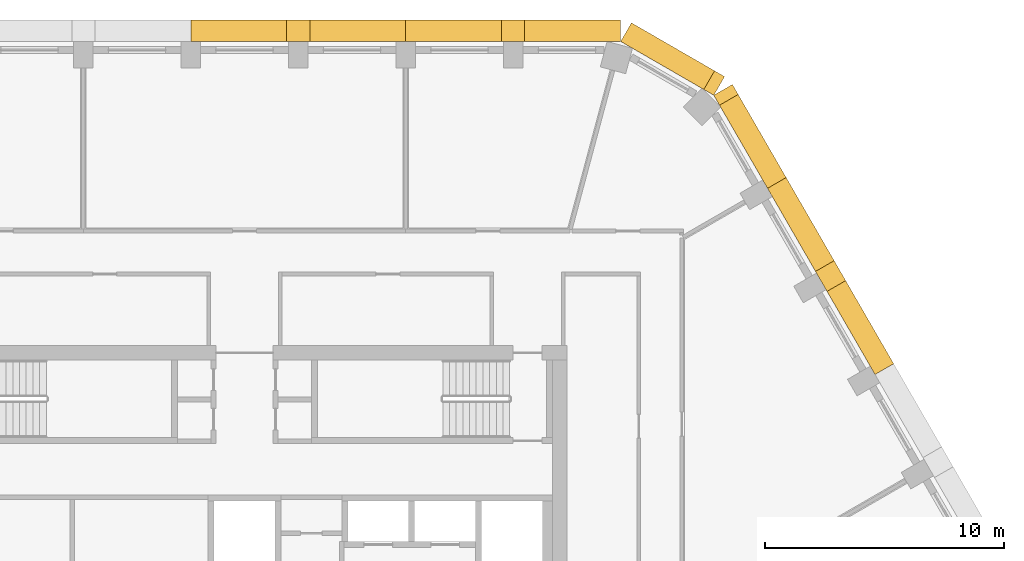
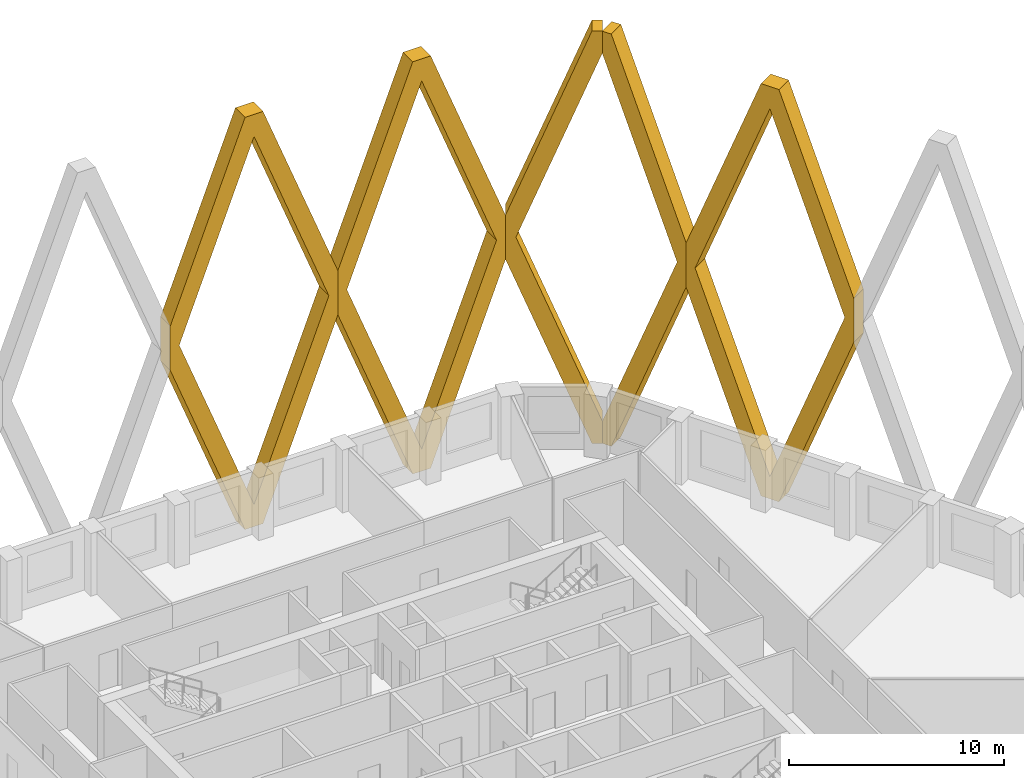
# One storey, part 16 of 16: 5 coverings.
"""IFC4 building model written with IfcOpenShell, lengths in metres."""

import ifcopenshell
import ifcopenshell.guid

model = None  # the IFC model being written
_history = None  # IfcOwnerHistory: only IFC2X3 demands one
_inside = {}  # id of a spatial element -> (the spatial element, [elements in it])
_under = {}  # id of a project, library or spatial element -> (it, [spatial elements below it])
_declared = {}  # id of a project -> (the project, [libraries it declares])
_typed = {}  # id of a type object -> (the type object, [elements of that type])
_made_of = {}  # id of a material, layer set ... -> (it, [elements and type objects made of it])


def new_model(schema):
    """Start an empty IFC model of exactly this schema.

    Asked for "IFC4X3", IfcOpenShell would pick the latest addendum, in which some entities
    have other attributes; the version numbers below select the first issue.
    IFC2X3 requires an IfcOwnerHistory on every rooted entity: one is made here for all.
    """
    global model, _history
    if schema == "IFC4X3":
        model = ifcopenshell.file(schema_version=(4, 3, 0, 0))
    else:
        model = ifcopenshell.file(schema=schema)
    _inside.clear()
    _under.clear()
    _declared.clear()
    _typed.clear()
    _made_of.clear()
    _history = None
    if model.schema == "IFC2X3":
        org = make("IfcOrganization", Name="unknown")
        user = make(
            "IfcPersonAndOrganization",
            ThePerson=make("IfcPerson", FamilyName="unknown"),
            TheOrganization=org,
        )
        app = make(
            "IfcApplication",
            ApplicationDeveloper=org,
            Version="unknown",
            ApplicationFullName="unknown",
            ApplicationIdentifier="unknown",
        )
        _history = make(
            "IfcOwnerHistory",
            OwningUser=user,
            OwningApplication=app,
            ChangeAction="ADDED",
            CreationDate=0,
        )
    return model


def make(cls, **values):
    """One entity of the class cls with the attributes given. An attribute that is None is left unset."""
    return model.create_entity(
        cls, **{name: value for name, value in values.items() if value is not None}
    )


def rooted(cls, **values):
    """An entity with a GlobalId (a new one), such as an element, a storey or a relation."""
    return make(cls, GlobalId=ifcopenshell.guid.new(), OwnerHistory=_history, **values)


def si_unit(unit_type, name, prefix=None):
    """IfcSIUnit, for example si_unit("LENGTHUNIT", "METRE", prefix="MILLI")."""
    return make("IfcSIUnit", UnitType=unit_type, Prefix=prefix, Name=name)


def assignment(units):
    """IfcUnitAssignment: the units of a project."""
    return None if units is None else make("IfcUnitAssignment", Units=units)


def point(xyz):
    """IfcCartesianPoint."""
    return None if xyz is None else make("IfcCartesianPoint", Coordinates=xyz)


def direction(xyz):
    """IfcDirection."""
    return None if xyz is None else make("IfcDirection", DirectionRatios=xyz)


def frame(location, z_axis=None, x_axis=None):
    """IfcAxis2Placement3D, a coordinate frame: its origin and axes. An axis left out is left unset."""
    return make(
        "IfcAxis2Placement3D",
        Location=point(location),
        Axis=direction(z_axis),
        RefDirection=direction(x_axis),
    )


def origin():
    """The frame at (0, 0, 0) with its axes left unset."""
    return frame((0.0, 0.0, 0.0))


def place(relative_to, where):
    """IfcLocalPlacement: puts the frame where relative to a parent placement (None: the world)."""
    return make(
        "IfcLocalPlacement", PlacementRelTo=relative_to, RelativePlacement=where
    )


def context(
    kind, dimensions, precision=None, world=None, true_north=None, identifier=None
):
    """IfcGeometricRepresentationContext, for example the 3D "Model" context."""
    return make(
        "IfcGeometricRepresentationContext",
        ContextIdentifier=identifier,
        ContextType=kind,
        CoordinateSpaceDimension=dimensions,
        Precision=precision,
        WorldCoordinateSystem=world,
        TrueNorth=true_north,
    )


def subcontext(parent, identifier, kind, view, scale=None):
    """IfcGeometricRepresentationSubContext, for example "Body" below "Model"."""
    return make(
        "IfcGeometricRepresentationSubContext",
        ContextIdentifier=identifier,
        ContextType=kind,
        ParentContext=parent,
        TargetScale=scale,
        TargetView=view,
    )


def project(units=None, contexts=None):
    """IfcProject with its units and contexts."""
    return rooted(
        "IfcProject",
        Name="project",
        RepresentationContexts=contexts,
        UnitsInContext=assignment(units),
    )


def spatial(cls, under=None, at=None, **own):
    """A site, building, storey or space (cls), placed at a placement, below another one or the project."""
    s = rooted(cls, ObjectPlacement=at, **own)
    if under is not None:
        _under.setdefault(under.id(), (under, []))[1].append(s)
    return s


def polyline(points):
    """IfcPolyline through the points."""
    return make("IfcPolyline", Points=[point(p) for p in points])


def outline(outer, holes=None, kind="AREA"):
    """IfcArbitraryClosedProfileDef: a profile drawn as a closed curve; with holes, ...WithVoids."""
    if holes is None:
        return make("IfcArbitraryClosedProfileDef", ProfileType=kind, OuterCurve=outer)
    return make(
        "IfcArbitraryProfileDefWithVoids",
        ProfileType=kind,
        OuterCurve=outer,
        InnerCurves=holes,
    )


def extrude(swept, where, along, depth):
    """IfcExtrudedAreaSolid: the profile swept, set in the frame where, extruded along a direction by depth."""
    return make(
        "IfcExtrudedAreaSolid",
        SweptArea=swept,
        Position=where,
        ExtrudedDirection=direction(along),
        Depth=depth,
    )


def shape(context_of_items, identifier, shape_type, items):
    """IfcShapeRepresentation: the items that make up one representation, for example the "Body"."""
    return make(
        "IfcShapeRepresentation",
        ContextOfItems=context_of_items,
        RepresentationIdentifier=identifier,
        RepresentationType=shape_type,
        Items=items,
    )


def material(Name=None, Category=None):
    """IfcMaterial."""
    return make("IfcMaterial", Name=Name, Category=Category)


def made_of(thing, what):
    """Note that an element or type object is made of a material, layer set ...; save() writes the relation."""
    if what is not None:
        _made_of.setdefault(what.id(), (what, []))[1].append(thing)
    return thing


def type_object(cls, material=None, **own):
    """A type object (cls), such as IfcWallType, which elements share."""
    return made_of(rooted(cls, **own), material)


def element(
    cls,
    number,
    at=None,
    inside=None,
    cuts=None,
    type_object=None,
    material=None,
    context=None,
    identifier="Body",
    shape_type=None,
    held_by="IfcProductDefinitionShape",
    body=None,
    shapes=None,
    **own,
):
    """One element of the class cls, such as IfcWall. Its Tag is "e" and its number.

    at: its placement. inside: the storey or other place that contains it. cuts: it is an
    opening in that element (IfcRelVoidsElement). A single representation is given by context,
    identifier, shape_type and body (its items); several are given by shapes. held_by: the class
    of the entity that holds the representations. save() writes the other relations.
    """
    e = rooted(cls, Tag="e%d" % number, ObjectPlacement=at, **own)
    if body is not None:
        shapes = [shape(context, identifier, shape_type, body)]
    if shapes is not None:
        e.Representation = make(held_by, Representations=shapes)
    if inside is not None:
        _inside.setdefault(inside.id(), (inside, []))[1].append(e)
    if cuts is not None:
        rooted(
            "IfcRelVoidsElement", RelatingBuildingElement=cuts, RelatedOpeningElement=e
        )
    if type_object is not None:
        _typed.setdefault(type_object.id(), (type_object, []))[1].append(e)
    return made_of(e, material)


def aggregate(whole, parts):
    """IfcRelAggregates: a whole, such as a stair, and the parts it consists of."""
    return rooted("IfcRelAggregates", RelatingObject=whole, RelatedObjects=parts)


def save(model, path):
    """Write the relations noted so far, then the file.

    IfcRelAggregates (storeys below a building ...), IfcRelContainedInSpatialStructure (elements
    in a storey), IfcRelDefinesByType, IfcRelAssociatesMaterial and IfcRelDeclares: one each for
    every whole, place, type object, material and project.
    """
    for whole, parts in _under.values():
        aggregate(whole, parts)
    for where, things in _inside.values():
        rooted(
            "IfcRelContainedInSpatialStructure",
            RelatedElements=things,
            RelatingStructure=where,
        )
    for kind, things in _typed.values():
        rooted("IfcRelDefinesByType", RelatedObjects=things, RelatingType=kind)
    for what, things in _made_of.values():
        rooted("IfcRelAssociatesMaterial", RelatedObjects=things, RelatingMaterial=what)
    for by, libraries in _declared.values():
        rooted("IfcRelDeclares", RelatingContext=by, RelatedDefinitions=libraries)
    model.write(path)


model = new_model("IFC4")

# Units and contexts
model_context = context("Model", 3, precision=1e-05, world=origin(), true_north=direction((0.0, 1.0)))
body_context = subcontext(model_context, "Body", "Model", "MODEL_VIEW")
ifc_project = project(units=[si_unit("LENGTHUNIT", "METRE"), si_unit("AREAUNIT", "SQUARE_METRE"), si_unit("VOLUMEUNIT", "CUBIC_METRE"), si_unit("PLANEANGLEUNIT", "RADIAN"), si_unit("MASSUNIT", "GRAM", prefix="KILO")], contexts=[model_context])

# Site, building, storey
site_placement = place(None, origin())
site = spatial("IfcSite", under=ifc_project, at=site_placement, CompositionType="ELEMENT")
building_placement = place(site_placement, origin())
building = spatial("IfcBuilding", under=site, at=building_placement, Name="Dhurran Vertical Campus", CompositionType="ELEMENT")
storey_placement = place(building_placement, frame((0.0, 0.0, 183.89990234375)))
storey = spatial("IfcBuildingStorey", under=building, at=storey_placement, Name="L45", CompositionType="ELEMENT", Elevation=183.89990234375)

# Coverings
ifc_material = material(Name="Precast concrete C50/60", Category="concrete")
covering_type = type_object("IfcCoveringType", Name="Folded precast fin lattice diamond", PredefinedType="USERDEFINED", material=ifc_material)
covering_1_placement = place(storey_placement, frame((26.397216796875, 10.044189453125, 0.0), z_axis=(0.866013897511, 0.50001992892, 0.0), x_axis=(-0.50001992892, 0.866013897511, 0.0)))
element("IfcCovering", 1, at=covering_1_placement, inside=storey, type_object=covering_type, Name="FN1 L45.011", ObjectType="FIN", PredefinedType="USERDEFINED", context=body_context, shape_type="SweptSolid", body=[
    extrude(outline(polyline([(9.0, 12.95361328125), (9.0, 10.4462890625), (4.982177734375, 0.0), (4.017822265625, 0.0), (0.0, 10.4462890625), (0.0, 12.95361328125), (4.017822265625, 23.39990234375), (4.982177734375, 23.39990234375), (9.0, 12.95361328125)]), holes=[polyline([(8.517822265625, 11.699951171875), (4.5, 22.146484375), (0.482177734375, 11.699951171875), (4.5, 1.253662109375), (8.517822265625, 11.699951171875)])]), origin(), (0.0, 0.0, 1.0), 0.89990234375),
])
covering_2_placement = place(storey_placement, frame((21.897216796875, 17.83837890625, 0.0), z_axis=(0.865896406789, 0.500223362819, 0.0), x_axis=(-0.500223362819, 0.865896406789, 0.0)))
element("IfcCovering", 2, at=covering_2_placement, inside=storey, type_object=covering_type, Name="FN1 L45.012", ObjectType="FIN", PredefinedType="USERDEFINED", context=body_context, shape_type="SweptSolid", body=[
    extrude(outline(polyline([(4.017822265625, 0.0), (0.0, 10.4462890625), (0.0, 12.95361328125), (4.017822265625, 23.39990234375), (4.5, 23.39990234375), (4.5, 22.146484375), (0.482177734375, 11.699951171875), (4.5, 1.253662109375), (4.5, 0.0), (4.017822265625, 0.0)])), origin(), (0.0, 0.0, 1.0), 0.89990234375),
])
covering_3_placement = place(storey_placement, frame((19.647216796875, 21.735595703125, 0.0), z_axis=(0.50001992892, 0.866013897511, 0.0), x_axis=(-0.866013897511, 0.50001992892, 0.0)))
element("IfcCovering", 3, at=covering_3_placement, inside=storey, type_object=covering_type, Name="FN1 L45.013", ObjectType="FIN", PredefinedType="USERDEFINED", context=body_context, shape_type="SweptSolid", body=[
    extrude(outline(polyline([(4.5, 10.4462890625), (0.482177734375, 0.0), (0.0, 0.0), (0.0, 1.253662109375), (4.017822265625, 11.699951171875), (0.0, 22.146484375), (0.0, 23.39990234375), (0.482177734375, 23.39990234375), (4.5, 12.95361328125), (4.5, 10.4462890625)])), origin(), (0.0, 0.0, 1.0), 0.89990234375),
])
for number, where, z_axis, x_axis, name in (
    (4, (15.75, 23.985595703125, 0.0), (0.0, 1.0, 0.0), (-1.0, 0.0, 0.0), "FN1 L45.014"),
    (5, (6.75, 23.985595703125, 0.0), (0.0, 1.0, 0.0), (-1.0, 0.0, 0.0), "FN1 L45.015"),
):
    element("IfcCovering", number, at=place(storey_placement, frame(where, z_axis=z_axis, x_axis=x_axis)), inside=storey, type_object=covering_type, Name=name, ObjectType="FIN", PredefinedType="USERDEFINED", context=body_context, shape_type="SweptSolid", body=[
        extrude(outline(polyline([(9.0, 12.95361328125), (9.0, 10.4462890625), (4.982177734375, 0.0), (4.017822265625, 0.0), (0.0, 10.4462890625), (0.0, 12.95361328125), (4.017822265625, 23.39990234375), (4.982177734375, 23.39990234375), (9.0, 12.95361328125)]), holes=[polyline([(8.517822265625, 11.699951171875), (4.5, 22.146484375), (0.482177734375, 11.699951171875), (4.5, 1.253662109375), (8.517822265625, 11.699951171875)])]), origin(), (0.0, 0.0, 1.0), 0.89990234375),
    ])

save(model, "model.ifc")
